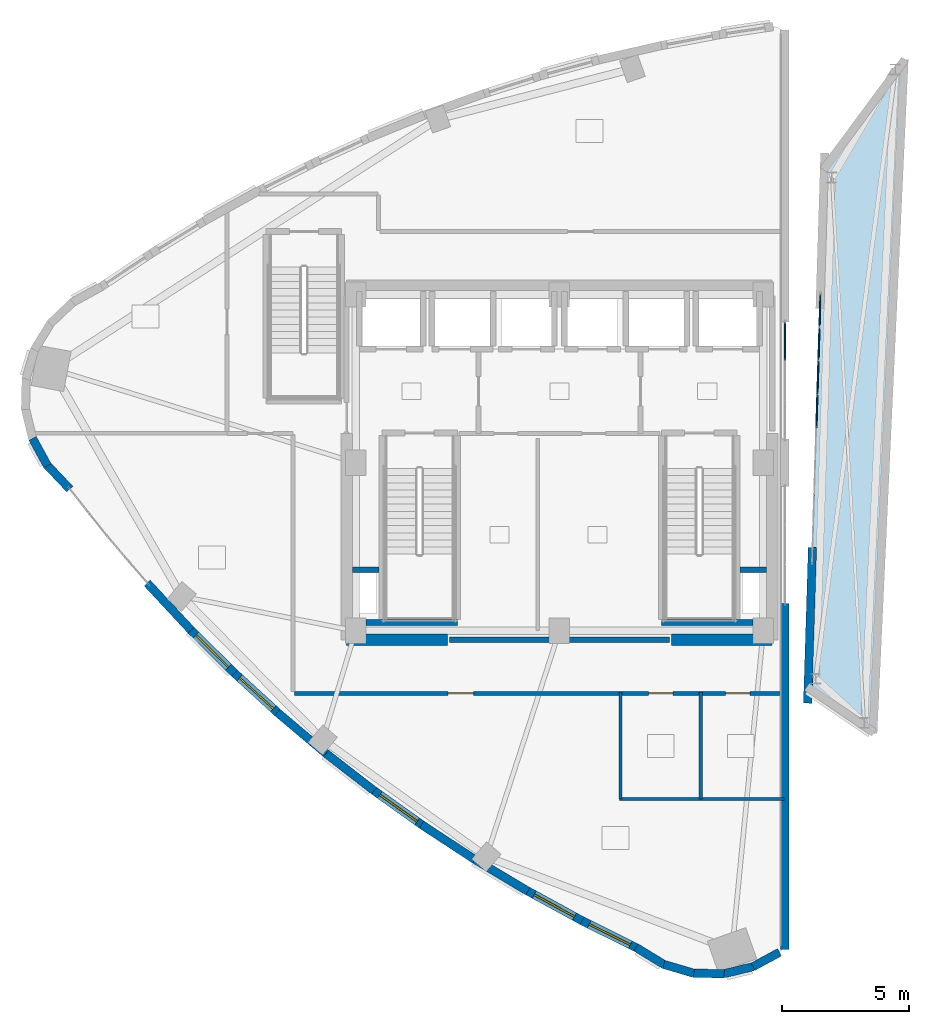
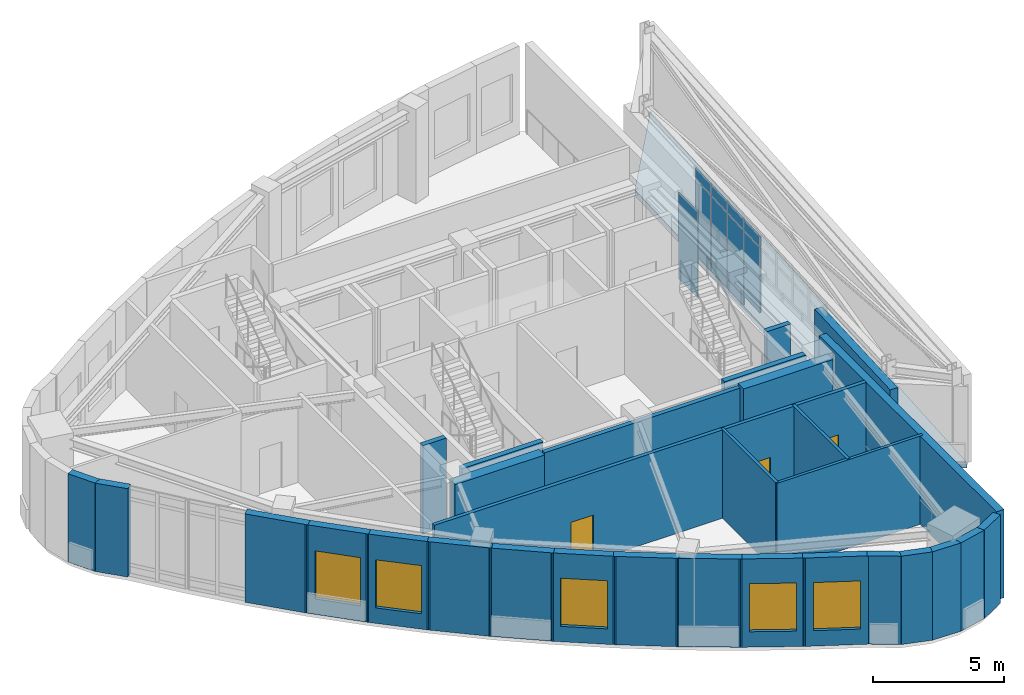
# One storey, part 13 of 19: 30 walls, 14 plates, 5 windows, 3 doors, 1 slab, 8 openings, 2 elements without a shape of their own.
"""IFC4 building model written with IfcOpenShell, lengths in metres."""

from ifc_helpers import new_model, si_unit, direction, frame, frame_2d, origin, origin_2d, place, context, subcontext, project, spatial, polyline, rectangle, outline, extrude, material, layer, layer_set, type_object, element, fill, aggregate, save


model = new_model("IFC4")

# Units and contexts
model_context = context("Model", 3, precision=1e-05, world=origin(), true_north=direction((0.0, 1.0)))
body_context = subcontext(model_context, "Body", "Model", "MODEL_VIEW")
ifc_project = project(units=[si_unit("LENGTHUNIT", "METRE"), si_unit("AREAUNIT", "SQUARE_METRE"), si_unit("VOLUMEUNIT", "CUBIC_METRE"), si_unit("PLANEANGLEUNIT", "RADIAN"), si_unit("MASSUNIT", "GRAM", prefix="KILO")], contexts=[model_context])

# Site, building, storey
site_placement = place(None, origin())
site = spatial("IfcSite", under=ifc_project, at=site_placement, CompositionType="ELEMENT")
building_placement = place(site_placement, origin())
building = spatial("IfcBuilding", under=site, at=building_placement, Name="Ndelora Gate Hotel", CompositionType="ELEMENT")
storey_placement = place(building_placement, frame((0.0, 0.0, 294.800048828125)))
storey = spatial("IfcBuildingStorey", under=building, at=storey_placement, Name="L73", CompositionType="ELEMENT", Elevation=294.800048828125)

# Curtain wall, plates
ifc_material_1 = material(Name="Bronze Anodised Unitised Aluminium and Low-E Glass", Category="aluminium")
ifc_layer_1 = layer(ifc_material_1, 0.199951171875)
ifc_layer_set_1 = layer_set([ifc_layer_1], Name="Bronze Anodised Unitised Aluminium and Low-E Glass")
curtain_wall_type = type_object("IfcCurtainWallType", Name="CW-SYS-8", PredefinedType="NOTDEFINED", material=ifc_layer_set_1)
curtain_wall_1_placement = place(storey_placement, origin())
curtain_wall_1 = element("IfcCurtainWall", 1, at=curtain_wall_1_placement, inside=storey, type_object=curtain_wall_type, Name="L73 Split-Crown West Cleft Lantern Curtain Wall CW8-2", PredefinedType="NOTDEFINED")
ifc_material_2 = material(Name="Solar-Control Low-E Insulated Glazing", Category="glass")
ifc_layer_2 = layer(ifc_material_2, 0.048095703125)
ifc_layer_set_2 = layer_set([ifc_layer_2], Name="Solar-Control Low-E Insulated Glazing")
plate_type = type_object("IfcPlateType", Name="PL-CW-GLZ36", PredefinedType="CURTAIN_PANEL", material=ifc_layer_set_2)
plate_1_placement = place(storey_placement, frame((8.85009765625, 4.760009765625, 0.0537109375), z_axis=(0.0, 0.0, 1.0), x_axis=(0.0, 1.0, 0.0)))
plate_1 = element("IfcPlate", 2, at=plate_1_placement, type_object=plate_type, Name="CW8 panel 3.1", PredefinedType="CURTAIN_PANEL", context=body_context, shape_type="SweptSolid", body=[
    extrude(rectangle(XDim=1.471923828125, YDim=0.048095703125, at=origin_2d()), origin(), (0.0, 0.0, 1.0), 0.422119140625),
])
plate_2_placement = place(storey_placement, frame((8.85009765625, 4.760009765625, 0.52392578125), z_axis=(0.0, 0.0, 1.0), x_axis=(0.0, 1.0, 0.0)))
plate_2 = element("IfcPlate", 3, at=plate_2_placement, type_object=plate_type, Name="CW8 panel 3.2", PredefinedType="CURTAIN_PANEL", context=body_context, shape_type="SweptSolid", body=[
    extrude(rectangle(XDim=1.471923828125, YDim=0.048095703125, at=origin_2d()), origin(), (0.0, 0.0, 1.0), 3.031982421875),
])
plate_3_placement = place(storey_placement, frame((8.85009765625, 4.760009765625, 3.60400390625), z_axis=(0.0, 0.0, 1.0), x_axis=(0.0, 1.0, 0.0)))
plate_3 = element("IfcPlate", 4, at=plate_3_placement, type_object=plate_type, Name="CW8 panel 3.3", PredefinedType="CURTAIN_PANEL", context=body_context, shape_type="SweptSolid", body=[
    extrude(rectangle(XDim=1.471923828125, YDim=0.048095703125, at=origin_2d()), origin(), (0.0, 0.0, 1.0), 0.471923828125),
])
aggregate(curtain_wall_1, [plate_1, plate_2, plate_3])

curtain_wall_2_placement = place(storey_placement, origin())
curtain_wall_2 = element("IfcCurtainWall", 5, at=curtain_wall_2_placement, inside=storey, type_object=curtain_wall_type, Name="L73 Split-Crown East Cleft Lantern Curtain Wall CW8", PredefinedType="NOTDEFINED")
plate_4_placement = place(storey_placement, frame((10.21875, 5.97509765625, 0.0537109375), z_axis=(0.0, 0.0, 1.0), x_axis=(-0.031131345484, -0.999515302198, 0.0)))
plate_4 = element("IfcPlate", 6, at=plate_4_placement, type_object=plate_type, Name="CW8 panel 1.1", PredefinedType="CURTAIN_PANEL", context=body_context, shape_type="SweptSolid", body=[
    extrude(rectangle(XDim=1.24658203125, YDim=0.048095703125, at=origin_2d()), origin(), (0.0, 0.0, 1.0), 0.422119140625),
])
plate_5_placement = place(storey_placement, frame((10.21875, 5.97509765625, 0.52392578125), z_axis=(0.0, 0.0, 1.0), x_axis=(-0.031131345484, -0.999515302198, 0.0)))
plate_5 = element("IfcPlate", 7, at=plate_5_placement, type_object=plate_type, Name="CW8 panel 1.2", PredefinedType="CURTAIN_PANEL", context=body_context, shape_type="SweptSolid", body=[
    extrude(rectangle(XDim=1.24658203125, YDim=0.048095703125, at=origin_2d()), origin(), (0.0, 0.0, 1.0), 3.031982421875),
])
plate_6_placement = place(storey_placement, frame((10.21875, 5.97509765625, 3.60400390625), z_axis=(0.0, 0.0, 1.0), x_axis=(-0.031131345484, -0.999515302198, 0.0)))
plate_6 = element("IfcPlate", 8, at=plate_6_placement, type_object=plate_type, Name="CW8 panel 1.3", PredefinedType="CURTAIN_PANEL", context=body_context, shape_type="SweptSolid", body=[
    extrude(rectangle(XDim=1.24658203125, YDim=0.048095703125, at=origin_2d()), origin(), (0.0, 0.0, 1.0), 0.471923828125),
])
plate_7_placement = place(storey_placement, frame((10.177978515625, 4.666259765625, 0.0537109375), z_axis=(0.0, 0.0, 1.0), x_axis=(-0.031131345484, -0.999515302198, 0.0)))
plate_7 = element("IfcPlate", 9, at=plate_7_placement, type_object=plate_type, Name="CW8 panel 2.1", PredefinedType="CURTAIN_PANEL", context=body_context, shape_type="SweptSolid", body=[
    extrude(rectangle(XDim=1.276611328125, YDim=0.048095703125, at=origin_2d()), origin(), (0.0, 0.0, 1.0), 0.422119140625),
])
plate_8_placement = place(storey_placement, frame((10.177978515625, 4.666259765625, 0.52392578125), z_axis=(0.0, 0.0, 1.0), x_axis=(-0.031131345484, -0.999515302198, 0.0)))
plate_8 = element("IfcPlate", 10, at=plate_8_placement, type_object=plate_type, Name="CW8 panel 2.2", PredefinedType="CURTAIN_PANEL", context=body_context, shape_type="SweptSolid", body=[
    extrude(rectangle(XDim=1.276611328125, YDim=0.048095703125, at=origin_2d()), origin(), (0.0, 0.0, 1.0), 3.031982421875),
])
plate_9_placement = place(storey_placement, frame((10.177978515625, 4.666259765625, 3.60400390625), z_axis=(0.0, 0.0, 1.0), x_axis=(-0.031131345484, -0.999515302198, 0.0)))
plate_9 = element("IfcPlate", 11, at=plate_9_placement, type_object=plate_type, Name="CW8 panel 2.3", PredefinedType="CURTAIN_PANEL", context=body_context, shape_type="SweptSolid", body=[
    extrude(rectangle(XDim=1.276611328125, YDim=0.048095703125, at=origin_2d()), origin(), (0.0, 0.0, 1.0), 0.471923828125),
])
plate_10_placement = place(storey_placement, frame((10.13671875, 3.34228515625, 0.0537109375), z_axis=(0.0, 0.0, 1.0), x_axis=(-0.031131345484, -0.999515302198, 0.0)))
plate_10 = element("IfcPlate", 12, at=plate_10_placement, type_object=plate_type, Name="CW8 panel 3.1", PredefinedType="CURTAIN_PANEL", context=body_context, shape_type="SweptSolid", body=[
    extrude(rectangle(XDim=1.276611328125, YDim=0.048095703125, at=origin_2d()), origin(), (0.0, 0.0, 1.0), 0.422119140625),
])
plate_11_placement = place(storey_placement, frame((10.13671875, 3.34228515625, 0.52392578125), z_axis=(0.0, 0.0, 1.0), x_axis=(-0.031131345484, -0.999515302198, 0.0)))
plate_11 = element("IfcPlate", 13, at=plate_11_placement, type_object=plate_type, Name="CW8 panel 3.2", PredefinedType="CURTAIN_PANEL", context=body_context, shape_type="SweptSolid", body=[
    extrude(rectangle(XDim=1.276611328125, YDim=0.048095703125, at=origin_2d()), origin(), (0.0, 0.0, 1.0), 3.031982421875),
])
plate_12_placement = place(storey_placement, frame((10.13671875, 3.34228515625, 3.60400390625), z_axis=(0.0, 0.0, 1.0), x_axis=(-0.031131345484, -0.999515302198, 0.0)))
plate_12 = element("IfcPlate", 14, at=plate_12_placement, type_object=plate_type, Name="CW8 panel 3.3", PredefinedType="CURTAIN_PANEL", context=body_context, shape_type="SweptSolid", body=[
    extrude(rectangle(XDim=1.276611328125, YDim=0.048095703125, at=origin_2d()), origin(), (0.0, 0.0, 1.0), 0.471923828125),
])
plate_13_placement = place(storey_placement, frame((10.095458984375, 2.018310546875, 0.52392578125), z_axis=(0.0, 0.0, 1.0), x_axis=(-0.031131345484, -0.999515302198, 0.0)))
plate_13 = element("IfcPlate", 15, at=plate_13_placement, type_object=plate_type, Name="CW8 panel 4.2", PredefinedType="CURTAIN_PANEL", context=body_context, shape_type="SweptSolid", body=[
    extrude(rectangle(XDim=1.276611328125, YDim=0.048095703125, at=origin_2d()), origin(), (0.0, 0.0, 1.0), 3.031982421875),
])
plate_14_placement = place(storey_placement, frame((10.095458984375, 2.018310546875, 3.60400390625), z_axis=(0.0, 0.0, 1.0), x_axis=(-0.031131345484, -0.999515302198, 0.0)))
plate_14 = element("IfcPlate", 16, at=plate_14_placement, type_object=plate_type, Name="CW8 panel 4.3", PredefinedType="CURTAIN_PANEL", context=body_context, shape_type="SweptSolid", body=[
    extrude(rectangle(XDim=1.276611328125, YDim=0.048095703125, at=origin_2d()), origin(), (0.0, 0.0, 1.0), 0.471923828125),
])
aggregate(curtain_wall_2, [plate_4, plate_5, plate_6, plate_7, plate_8, plate_9, plate_10, plate_11, plate_12, plate_13, plate_14])

# Slab
ifc_material_3 = material(Name="Concrete C40/50", Category="concrete")
ifc_layer_3 = layer(ifc_material_3, 0.280029296875)
ifc_layer_set_3 = layer_set([ifc_layer_3], Name="Concrete C40/50")
slab_type = type_object("IfcSlabType", Name="SL-ROOF-280", PredefinedType="ROOF", material=ifc_layer_set_3)
slab_placement = place(storey_placement, frame((0.0, 0.0, -0.280029296875)))
element("IfcSlab", 17, at=slab_placement, inside=storey, type_object=slab_type, Name="L73 East Crown Peak Deck", PredefinedType="ROOF", context=body_context, shape_type="SweptSolid", body=[
    extrude(outline(polyline([(9.757568359375, -8.828369140625), (12.306884765625, -10.562255859375), (13.527099609375, 15.7783203125), (10.39208984375, 11.540771484375), (9.757568359375, -8.828369140625)])), origin(), (0.0, 0.0, 1.0), 0.280029296875),
])

# Walls
ifc_material_4 = material(Name="Clay Brick Masonry", Category="masonry")
ifc_layer_4 = layer(ifc_material_4, 0.330078125)
ifc_layer_set_4 = layer_set([ifc_layer_4], Name="Clay Brick Masonry")
wall_type_1 = type_object("IfcWallType", Name="WL-BRICK-330", PredefinedType="SOLIDWALL", material=ifc_layer_set_4)
wall_1_placement = place(storey_placement, frame((8.85009765625, -5.52001953125, 0.0), z_axis=(0.0, 0.0, 1.0), x_axis=(0.0, -1.0, 0.0)))
element("IfcWall", 18, at=wall_1_placement, inside=storey, type_object=wall_type_1, Name="L73 West Crown Canyon Brick Pier 1", PredefinedType="SOLIDWALL", context=body_context, shape_type="SweptSolid", body=[
    extrude(rectangle(XDim=13.590576171875, YDim=0.330078125, at=frame_2d((6.79541015625, 0.0))), origin(), (0.0, 0.0, 1.0), 4.1298828125),
])
wall_2_placement = place(storey_placement, frame((9.738525390625, -9.439453125, 0.0), z_axis=(0.0, 0.0, 1.0), x_axis=(0.031147484759, 0.999514799387, 0.0)))
element("IfcWall", 19, at=wall_2_placement, inside=storey, type_object=wall_type_1, Name="L73 East Crown Canyon Brick Pier 1", PredefinedType="SOLIDWALL", context=body_context, shape_type="SweptSolid", body=[
    extrude(rectangle(XDim=6.11376953125, YDim=0.330078125, at=frame_2d((3.056884765625, 0.0))), origin(), (0.0, 0.0, 1.0), 3.64990234375),
])
wall_3_placement = place(storey_placement, frame((-20.0927734375, -0.122314453125, 0.0), z_axis=(0.0, 0.0, 1.0), x_axis=(-0.478321862725, 0.878184602256, 0.0)))
element("IfcWall", 20, at=wall_3_placement, inside=storey, type_object=wall_type_1, Name="L73 Tower Brick Pier-and-Spandrel Wall WPK-13", PredefinedType="SOLIDWALL", context=body_context, shape_type="SweptSolid", body=[
    extrude(rectangle(XDim=1.22607421875, YDim=0.330078125, at=frame_2d((0.613037109375, 0.0))), origin(), (0.0, 0.0, 1.0), 4.1298828125),
])
wall_4_placement = place(storey_placement, frame((-19.214599609375, -1.038818359375, 0.0), z_axis=(0.0, 0.0, 1.0), x_axis=(-0.687489239636, 0.726194564414, 0.0)))
element("IfcWall", 21, at=wall_4_placement, inside=storey, type_object=wall_type_1, Name="L73 Tower Brick Pier-and-Spandrel Wall WPK-15", PredefinedType="SOLIDWALL", context=body_context, shape_type="SweptSolid", body=[
    extrude(rectangle(XDim=1.29931640625, YDim=0.330078125, at=frame_2d((0.649658203125, 0.0))), origin(), (0.0, 0.0, 1.0), 4.1298828125),
])
wall_5_placement = place(storey_placement, frame((-14.4619140625, -6.572021484375, 0.0), z_axis=(0.0, 0.0, 1.0), x_axis=(-0.681100323402, 0.732190104728, 0.0)))
element("IfcWall", 22, at=wall_5_placement, inside=storey, type_object=wall_type_1, Name="L73 Tower Brick Pier-and-Spandrel Wall WPK-18", PredefinedType="SOLIDWALL", context=body_context, shape_type="SweptSolid", body=[
    extrude(rectangle(XDim=2.523193359375, YDim=0.330078125, at=frame_2d((1.26171875, 0.0))), origin(), (0.0, 0.0, 1.0), 4.1298828125),
])

# Wall, opening, window
wall_6_placement = place(storey_placement, frame((-12.755859375, -8.26171875, 0.0), z_axis=(0.0, 0.0, 1.0), x_axis=(-0.709823779942, 0.704379302243, 0.0)))
wall_6 = element("IfcWall", 23, at=wall_6_placement, inside=storey, type_object=wall_type_1, Name="L73 Tower Brick Pier-and-Spandrel Wall WPK-19", PredefinedType="SOLIDWALL", context=body_context, shape_type="SweptSolid", body=[
    extrude(rectangle(XDim=2.51123046875, YDim=0.330078125, at=frame_2d((1.255615234375, 0.0))), origin(), (0.0, 0.0, 1.0), 4.1298828125),
])
opening_1_placement = place(wall_6_placement, frame((0.32568359375, 0.0, 0.719970703125)))
opening_1 = element("IfcOpeningElement", 24, at=opening_1_placement, cuts=wall_6, Name="Opening W06", PredefinedType="OPENING", context=body_context, shape_type="SweptSolid", body=[
    extrude(rectangle(XDim=1.800048828125, YDim=2.25, at=frame_2d((0.89990234375, 1.125))), frame((0.0, 0.175048828125, 0.0), z_axis=(0.0, -1.0, 0.0), x_axis=(1.0, 0.0, 0.0)), (0.0, 0.0, 1.0), 0.35009765625),
])
ifc_material_5 = material(Name="Insulated Low-E Double Glazing in Bronze Aluminium Frame", Category="aluminium")
window_type = type_object("IfcWindowType", Name="WN-OBS-1800", PartitioningType="SINGLE_PANEL", PredefinedType="WINDOW", material=ifc_material_5)
window_1_placement = place(opening_1_placement, origin())
window_1 = element("IfcWindow", 25, at=window_1_placement, inside=storey, type_object=window_type, Name="L73 Deep-Set Brick-Pier Window W06", OverallHeight=2.25, OverallWidth=1.800048828125, PartitioningType="SINGLE_PANEL", PredefinedType="WINDOW", context=body_context, shape_type="SweptSolid", body=[
    extrude(rectangle(XDim=1.800048828125, YDim=2.25, at=frame_2d((0.89990234375, 1.125))), frame((0.0, 0.030029296875, 0.0), z_axis=(0.0, -1.0, 0.0), x_axis=(1.0, 0.0, 0.0)), (0.0, 0.0, 1.0), 0.06005859375),
])
fill(opening_1, window_1)

wall_7_placement = place(storey_placement, frame((-10.989013671875, -9.876220703125, 0.0), z_axis=(0.0, 0.0, 1.0), x_axis=(-0.737627628948, 0.675207731748, 0.0)))
wall_7 = element("IfcWall", 26, at=wall_7_placement, inside=storey, type_object=wall_type_1, Name="L73 Tower Brick Pier-and-Spandrel Wall WPK-20", PredefinedType="SOLIDWALL", context=body_context, shape_type="SweptSolid", body=[
    extrude(rectangle(XDim=2.503173828125, YDim=0.330078125, at=frame_2d((1.25146484375, 0.0))), origin(), (0.0, 0.0, 1.0), 4.1298828125),
])
opening_2_placement = place(wall_7_placement, frame((0.321533203125, 0.0, 0.719970703125)))
opening_2 = element("IfcOpeningElement", 27, at=opening_2_placement, cuts=wall_7, Name="Opening W06", PredefinedType="OPENING", context=body_context, shape_type="SweptSolid", body=[
    extrude(rectangle(XDim=1.800048828125, YDim=2.25, at=frame_2d((0.89990234375, 1.125))), frame((0.0, 0.175048828125, 0.0), z_axis=(0.0, -1.0, 0.0), x_axis=(1.0, 0.0, 0.0)), (0.0, 0.0, 1.0), 0.35009765625),
])
window_2_placement = place(opening_2_placement, origin())
window_2 = element("IfcWindow", 28, at=window_2_placement, inside=storey, type_object=window_type, Name="L73 Deep-Set Brick-Pier Window W06", OverallHeight=2.25, OverallWidth=1.800048828125, PartitioningType="SINGLE_PANEL", PredefinedType="WINDOW", context=body_context, shape_type="SweptSolid", body=[
    extrude(rectangle(XDim=1.800048828125, YDim=2.25, at=frame_2d((0.89990234375, 1.125))), frame((0.0, 0.030029296875, 0.0), z_axis=(0.0, -1.0, 0.0), x_axis=(1.0, 0.0, 0.0)), (0.0, 0.0, 1.0), 0.06005859375),
])
fill(opening_2, window_2)

# Walls
wall_8_placement = place(storey_placement, frame((-9.161376953125, -11.415283203125, 0.0), z_axis=(0.0, 0.0, 1.0), x_axis=(-0.764315556833, 0.644842406781, 0.0)))
element("IfcWall", 29, at=wall_8_placement, inside=storey, type_object=wall_type_1, Name="L73 Tower Brick Pier-and-Spandrel Wall WPK-21", PredefinedType="SOLIDWALL", context=body_context, shape_type="SweptSolid", body=[
    extrude(rectangle(XDim=2.499267578125, YDim=0.330078125, at=frame_2d((1.24951171875, 0.0))), origin(), (0.0, 0.0, 1.0), 4.1298828125),
])
wall_9_placement = place(storey_placement, frame((-7.27294921875, -12.87890625, 0.0), z_axis=(0.0, 0.0, 1.0), x_axis=(-0.789841179094, 0.613311431336, 0.0)))
element("IfcWall", 30, at=wall_9_placement, inside=storey, type_object=wall_type_1, Name="L73 Tower Brick Pier-and-Spandrel Wall WPK-22", PredefinedType="SOLIDWALL", context=body_context, shape_type="SweptSolid", body=[
    extrude(rectangle(XDim=2.4990234375, YDim=0.330078125, at=frame_2d((1.24951171875, 0.0))), origin(), (0.0, 0.0, 1.0), 4.1298828125),
])

# Wall, opening, window
wall_10_placement = place(storey_placement, frame((-5.323486328125, -14.26708984375, 0.0), z_axis=(0.0, 0.0, 1.0), x_axis=(-0.814029925436, 0.580822933857, 0.0)))
wall_10 = element("IfcWall", 31, at=wall_10_placement, inside=storey, type_object=wall_type_1, Name="L73 Tower Brick Pier-and-Spandrel Wall WPK-23", PredefinedType="SOLIDWALL", context=body_context, shape_type="SweptSolid", body=[
    extrude(rectangle(XDim=2.503173828125, YDim=0.330078125, at=frame_2d((1.25146484375, 0.0))), origin(), (0.0, 0.0, 1.0), 4.1298828125),
])
opening_3_placement = place(wall_10_placement, frame((0.321533203125, 0.0, 0.719970703125)))
opening_3 = element("IfcOpeningElement", 32, at=opening_3_placement, cuts=wall_10, Name="Opening W06", PredefinedType="OPENING", context=body_context, shape_type="SweptSolid", body=[
    extrude(rectangle(XDim=1.800048828125, YDim=2.25, at=frame_2d((0.89990234375, 1.125))), frame((0.0, 0.175048828125, 0.0), z_axis=(0.0, -1.0, 0.0), x_axis=(1.0, 0.0, 0.0)), (0.0, 0.0, 1.0), 0.35009765625),
])
window_3_placement = place(opening_3_placement, origin())
window_3 = element("IfcWindow", 33, at=window_3_placement, inside=storey, type_object=window_type, Name="L73 Deep-Set Brick-Pier Window W06", OverallHeight=2.25, OverallWidth=1.800048828125, PartitioningType="SINGLE_PANEL", PredefinedType="WINDOW", context=body_context, shape_type="SweptSolid", body=[
    extrude(rectangle(XDim=1.800048828125, YDim=2.25, at=frame_2d((0.89990234375, 1.125))), frame((0.0, 0.030029296875, 0.0), z_axis=(0.0, -1.0, 0.0), x_axis=(1.0, 0.0, 0.0)), (0.0, 0.0, 1.0), 0.06005859375),
])
fill(opening_3, window_3)

# Walls
wall_11_placement = place(storey_placement, frame((-3.313232421875, -15.580078125, 0.0), z_axis=(0.0, 0.0, 1.0), x_axis=(-0.836746876737, 0.547589868671, 0.0)))
element("IfcWall", 34, at=wall_11_placement, inside=storey, type_object=wall_type_1, Name="L73 Tower Brick Pier-and-Spandrel Wall WPK-24", PredefinedType="SOLIDWALL", context=body_context, shape_type="SweptSolid", body=[
    extrude(rectangle(XDim=2.510986328125, YDim=0.330078125, at=frame_2d((1.25537109375, 0.0))), origin(), (0.0, 0.0, 1.0), 4.1298828125),
])
wall_12_placement = place(storey_placement, frame((-1.241943359375, -16.818115234375, 0.0), z_axis=(0.0, 0.0, 1.0), x_axis=(-0.857902474262, 0.513812557899, 0.0)))
element("IfcWall", 35, at=wall_12_placement, inside=storey, type_object=wall_type_1, Name="L73 Tower Brick Pier-and-Spandrel Wall WPK-25", PredefinedType="SOLIDWALL", context=body_context, shape_type="SweptSolid", body=[
    extrude(rectangle(XDim=2.523193359375, YDim=0.330078125, at=frame_2d((1.26171875, 0.0))), origin(), (0.0, 0.0, 1.0), 4.1298828125),
])

# Wall, opening, window
wall_13_placement = place(storey_placement, frame((0.890380859375, -17.98046875, 0.0), z_axis=(0.0, 0.0, 1.0), x_axis=(-0.877542510611, 0.479498844702, 0.0)))
wall_13 = element("IfcWall", 36, at=wall_13_placement, inside=storey, type_object=wall_type_1, Name="L73 Tower Brick Pier-and-Spandrel Wall WPK-26", PredefinedType="SOLIDWALL", context=body_context, shape_type="SweptSolid", body=[
    extrude(rectangle(XDim=2.53857421875, YDim=0.330078125, at=frame_2d((1.269287109375, 0.0))), origin(), (0.0, 0.0, 1.0), 4.1298828125),
])
opening_4_placement = place(wall_13_placement, frame((0.33935546875, 0.0, 0.719970703125)))
opening_4 = element("IfcOpeningElement", 37, at=opening_4_placement, cuts=wall_13, Name="Opening W06", PredefinedType="OPENING", context=body_context, shape_type="SweptSolid", body=[
    extrude(rectangle(XDim=1.800048828125, YDim=2.25, at=frame_2d((0.89990234375, 1.125))), frame((0.0, 0.175048828125, 0.0), z_axis=(0.0, -1.0, 0.0), x_axis=(1.0, 0.0, 0.0)), (0.0, 0.0, 1.0), 0.35009765625),
])
window_4_placement = place(opening_4_placement, origin())
window_4 = element("IfcWindow", 38, at=window_4_placement, inside=storey, type_object=window_type, Name="L73 Deep-Set Brick-Pier Window W06", OverallHeight=2.25, OverallWidth=1.800048828125, PartitioningType="SINGLE_PANEL", PredefinedType="WINDOW", context=body_context, shape_type="SweptSolid", body=[
    extrude(rectangle(XDim=1.800048828125, YDim=2.25, at=frame_2d((0.89990234375, 1.125))), frame((0.0, 0.030029296875, 0.0), z_axis=(0.0, -1.0, 0.0), x_axis=(1.0, 0.0, 0.0)), (0.0, 0.0, 1.0), 0.06005859375),
])
fill(opening_4, window_4)

wall_14_placement = place(storey_placement, frame((3.100830078125, -19.078125, 0.0), z_axis=(0.0, 0.0, 1.0), x_axis=(-0.895277941462, 0.445508033073, 0.0)))
wall_14 = element("IfcWall", 39, at=wall_14_placement, inside=storey, type_object=wall_type_1, Name="L73 Tower Brick Pier-and-Spandrel Wall WPK-27", PredefinedType="SOLIDWALL", context=body_context, shape_type="SweptSolid", body=[
    extrude(rectangle(XDim=2.577880859375, YDim=0.330078125, at=frame_2d((1.2890625, 0.0))), origin(), (0.0, 0.0, 1.0), 4.1298828125),
])
opening_5_placement = place(wall_14_placement, frame((0.35888671875, 0.0, 0.719970703125)))
opening_5 = element("IfcOpeningElement", 40, at=opening_5_placement, cuts=wall_14, Name="Opening W06", PredefinedType="OPENING", context=body_context, shape_type="SweptSolid", body=[
    extrude(rectangle(XDim=1.800048828125, YDim=2.25, at=frame_2d((0.89990234375, 1.125))), frame((0.0, 0.175048828125, 0.0), z_axis=(0.0, -1.0, 0.0), x_axis=(1.0, 0.0, 0.0)), (0.0, 0.0, 1.0), 0.35009765625),
])
window_5_placement = place(opening_5_placement, origin())
window_5 = element("IfcWindow", 41, at=window_5_placement, inside=storey, type_object=window_type, Name="L73 Deep-Set Brick-Pier Window W06", OverallHeight=2.25, OverallWidth=1.800048828125, PartitioningType="SINGLE_PANEL", PredefinedType="WINDOW", context=body_context, shape_type="SweptSolid", body=[
    extrude(rectangle(XDim=1.800048828125, YDim=2.25, at=frame_2d((0.89990234375, 1.125))), frame((0.0, 0.030029296875, 0.0), z_axis=(0.0, -1.0, 0.0), x_axis=(1.0, 0.0, 0.0)), (0.0, 0.0, 1.0), 0.06005859375),
])
fill(opening_5, window_5)

# Walls
wall_15_placement = place(storey_placement, frame((4.121826171875, -19.70751953125, 0.0), z_axis=(0.0, 0.0, 1.0), x_axis=(-0.853318707867, 0.521389665034, 0.0)))
element("IfcWall", 42, at=wall_15_placement, inside=storey, type_object=wall_type_1, Name="L73 Tower Brick Pier-and-Spandrel Wall WPK-28", PredefinedType="SOLIDWALL", context=body_context, shape_type="SweptSolid", body=[
    extrude(rectangle(XDim=1.309326171875, YDim=0.330078125, at=frame_2d((0.65478515625, 0.0))), origin(), (0.0, 0.0, 1.0), 4.1298828125),
])
for number, where, z_axis, x_axis, name in (
    (43, (5.27099609375, -20.038330078125, 0.0), (0.0, 0.0, 1.0), (-0.959229011415, 0.282629976578, 0.0), "L73 Tower Brick Pier-and-Spandrel Wall WPK-30"),
    (44, (6.466552734375, -20.060546875, 0.0), (0.0, 0.0, 1.0), (-0.999694943543, 0.024698579996, 0.0), "L73 Tower Brick Pier-and-Spandrel Wall WPK-32"),
):
    element("IfcWall", number, at=place(storey_placement, frame(where, z_axis=z_axis, x_axis=x_axis)), inside=storey, type_object=wall_type_1, Name=name, PredefinedType="SOLIDWALL", context=body_context, shape_type="SweptSolid", body=[
        extrude(rectangle(XDim=1.225830078125, YDim=0.330078125, at=frame_2d((0.61279296875, 0.0))), origin(), (0.0, 0.0, 1.0), 4.1298828125),
    ])
wall_16_placement = place(storey_placement, frame((7.62744140625, -19.7724609375, 0.0), z_axis=(0.0, 0.0, 1.0), x_axis=(-0.97199913572, -0.234984425353, 0.0)))
element("IfcWall", 45, at=wall_16_placement, inside=storey, type_object=wall_type_1, Name="L73 Tower Brick Pier-and-Spandrel Wall WPK-34", PredefinedType="SOLIDWALL", context=body_context, shape_type="SweptSolid", body=[
    extrude(rectangle(XDim=1.22607421875, YDim=0.330078125, at=frame_2d((0.613037109375, 0.0))), origin(), (0.0, 0.0, 1.0), 4.1298828125),
])
wall_17_placement = place(storey_placement, frame((8.640380859375, -19.214111328125, 0.0), z_axis=(0.0, 0.0, 1.0), x_axis=(-0.878860825238, -0.477078242914, 0.0)))
element("IfcWall", 46, at=wall_17_placement, inside=storey, type_object=wall_type_1, Name="L73 Tower Brick Pier-and-Spandrel Wall WPK-36", PredefinedType="SOLIDWALL", context=body_context, shape_type="SweptSolid", body=[
    extrude(rectangle(XDim=1.186767578125, YDim=0.330078125, at=frame_2d((0.59326171875, 0.0))), origin(), (0.0, 0.0, 1.0), 4.1298828125),
])
ifc_material_6 = material(Name="Concrete C50/60", Category="concrete")
ifc_layer_5 = layer(ifc_material_6, 0.449951171875)
ifc_layer_set_5 = layer_set([ifc_layer_5], Name="Concrete C50/60")
wall_type_2 = type_object("IfcWallType", Name="WL-CORE-450", PredefinedType="SHEAR", material=ifc_layer_set_5)
for number, where, z_axis, x_axis, name in (
    (47, (-8.35009765625, -6.949951171875, 0.0), (0.0, 0.0, 1.0), (1.0, 0.0, 0.0), "L73 Core Shear Wall S-W"),
    (48, (4.39990234375, -6.949951171875, 0.0), (0.0, 0.0, 1.0), (1.0, 0.0, 0.0), "L73 Core Shear Wall S-E"),
):
    element("IfcWall", number, at=place(storey_placement, frame(where, z_axis=z_axis, x_axis=x_axis)), inside=storey, type_object=wall_type_2, Name=name, PredefinedType="SHEAR", context=body_context, shape_type="SweptSolid", body=[
        extrude(rectangle(XDim=3.9501953125, YDim=0.449951171875, at=frame_2d((1.97509765625, 0.0))), origin(), (0.0, 0.0, 1.0), 4.1298828125),
    ])
ifc_layer_6 = layer(ifc_material_3, 0.199951171875)
ifc_layer_set_6 = layer_set([ifc_layer_6], Name="Concrete C40/50")
wall_type_3 = type_object("IfcWallType", Name="WL-FIRE-200", PredefinedType="PARTITIONING", material=ifc_layer_set_6)
wall_18_placement = place(storey_placement, frame((-4.320068359375, -6.949951171875, 0.0), z_axis=(0.0, 0.0, 1.0), x_axis=(1.0, 0.0, 0.0)))
element("IfcWall", 49, at=wall_18_placement, inside=storey, type_object=wall_type_3, Name="L73 Interior Wall IW-2", PredefinedType="PARTITIONING", context=body_context, shape_type="SweptSolid", body=[
    extrude(rectangle(XDim=8.64013671875, YDim=0.199951171875, at=frame_2d((4.320068359375, 0.0))), origin(), (0.0, 0.0, 1.0), 4.1298828125),
])

# Wall, openings, doors
ifc_material_7 = material(Name="Fire-Rated Gypsum Stud Partition", Category="gypsum")
ifc_layer_7 = layer(ifc_material_7, 0.159912109375)
ifc_layer_set_7 = layer_set([ifc_layer_7], Name="Fire-Rated Gypsum Stud Partition")
wall_type_4 = type_object("IfcWallType", Name="WL-PART-160", PredefinedType="PARTITIONING", material=ifc_layer_set_7)
wall_19_placement = place(storey_placement, frame((-10.39990234375, -9.050048828125, 0.0), z_axis=(0.0, 0.0, 1.0), x_axis=(1.0, 0.0, 0.0)))
wall_19 = element("IfcWall", 50, at=wall_19_placement, inside=storey, type_object=wall_type_4, Name="L73 Interior Wall IW-4", PredefinedType="PARTITIONING", context=body_context, shape_type="SweptSolid", body=[
    extrude(rectangle(XDim=19.099853515625, YDim=0.159912109375, at=frame_2d((9.5498046875, 0.0))), origin(), (0.0, 0.0, 1.0), 4.1298828125),
])
opening_6_placement = place(wall_19_placement, frame((6.030029296875, 0.0, 0.0)))
opening_6 = element("IfcOpeningElement", 51, at=opening_6_placement, cuts=wall_19, Name="Opening D01", PredefinedType="OPENING", context=body_context, shape_type="SweptSolid", body=[
    extrude(rectangle(XDim=1.0, YDim=2.14990234375, at=frame_2d((0.5, 1.074951171875))), frame((0.0, 0.08984375, 0.0), z_axis=(0.0, -1.0, 0.0), x_axis=(1.0, 0.0, 0.0)), (0.0, 0.0, 1.0), 0.179931640625),
])
opening_7_placement = place(wall_19_placement, frame((13.89990234375, 0.0, 0.0)))
opening_7 = element("IfcOpeningElement", 52, at=opening_7_placement, cuts=wall_19, Name="Opening D05", PredefinedType="OPENING", context=body_context, shape_type="SweptSolid", body=[
    extrude(rectangle(XDim=0.949951171875, YDim=2.10009765625, at=frame_2d((0.47509765625, 1.050048828125))), frame((0.0, 0.08984375, 0.0), z_axis=(0.0, -1.0, 0.0), x_axis=(1.0, 0.0, 0.0)), (0.0, 0.0, 1.0), 0.179931640625),
])
opening_8_placement = place(wall_19_placement, frame((16.919921875, 0.0, 0.0)))
opening_8 = element("IfcOpeningElement", 53, at=opening_8_placement, cuts=wall_19, Name="Opening D05", PredefinedType="OPENING", context=body_context, shape_type="SweptSolid", body=[
    extrude(rectangle(XDim=0.949951171875, YDim=2.10009765625, at=frame_2d((0.47509765625, 1.050048828125))), frame((0.0, 0.08984375, 0.0), z_axis=(0.0, -1.0, 0.0), x_axis=(1.0, 0.0, 0.0)), (0.0, 0.0, 1.0), 0.179931640625),
])
ifc_material_8 = material(Name="Accessible Restroom Wide-Clearance Door", Category="wood")
door_type_1 = type_object("IfcDoorType", Name="DR-ACC-950", OperationType="SINGLE_SWING_LEFT", PredefinedType="DOOR", material=ifc_material_8)
door_1_placement = place(opening_7_placement, origin())
door_1 = element("IfcDoor", 54, at=door_1_placement, inside=storey, type_object=door_type_1, Name="L73 Female Public Restroom Door", OperationType="SINGLE_SWING_LEFT", OverallHeight=2.10009765625, OverallWidth=0.949951171875, PredefinedType="DOOR", context=body_context, shape_type="SweptSolid", body=[
    extrude(rectangle(XDim=0.949951171875, YDim=2.10009765625, at=frame_2d((0.47509765625, 1.050048828125))), frame((0.0, 0.02490234375, 0.0), z_axis=(0.0, -1.0, 0.0), x_axis=(1.0, 0.0, 0.0)), (0.0, 0.0, 1.0), 0.050048828125),
])
fill(opening_7, door_1)
door_2_placement = place(opening_8_placement, origin())
door_2 = element("IfcDoor", 55, at=door_2_placement, inside=storey, type_object=door_type_1, Name="L73 Accessible WC Door", OperationType="SINGLE_SWING_RIGHT", OverallHeight=2.10009765625, OverallWidth=0.949951171875, PredefinedType="DOOR", context=body_context, shape_type="SweptSolid", body=[
    extrude(rectangle(XDim=0.949951171875, YDim=2.10009765625, at=frame_2d((0.47509765625, 1.050048828125))), frame((0.0, 0.02490234375, 0.0), z_axis=(0.0, -1.0, 0.0), x_axis=(1.0, 0.0, 0.0)), (0.0, 0.0, 1.0), 0.050048828125),
])
fill(opening_8, door_2)
ifc_material_9 = material(Name="Acoustic Hardwood Guest Entrance Door", Category="wood")
door_type_2 = type_object("IfcDoorType", Name="DR-COR-1000", OperationType="SINGLE_SWING_LEFT", PredefinedType="DOOR", material=ifc_material_9)
door_3_placement = place(opening_6_placement, origin())
door_3 = element("IfcDoor", 56, at=door_3_placement, inside=storey, type_object=door_type_2, Name="L73 Finishing Catering Kitchen Door", OperationType="SINGLE_SWING_LEFT", OverallHeight=2.14990234375, OverallWidth=1.0, PredefinedType="DOOR", context=body_context, shape_type="SweptSolid", body=[
    extrude(rectangle(XDim=1.0, YDim=2.14990234375, at=frame_2d((0.5, 1.074951171875))), frame((0.0, 0.02490234375, 0.0), z_axis=(0.0, -1.0, 0.0), x_axis=(1.0, 0.0, 0.0)), (0.0, 0.0, 1.0), 0.050048828125),
])
fill(opening_6, door_3)

# Walls
ifc_layer_8 = layer(ifc_material_3, 0.219970703125)
ifc_layer_set_8 = layer_set([ifc_layer_8], Name="Concrete C40/50")
wall_type_5 = type_object("IfcWallType", Name="WL-SHAFT-220", PredefinedType="PARTITIONING", material=ifc_layer_set_8)
for number, where, z_axis, x_axis, name in (
    (57, (-8.125, -4.199951171875, 0.0), (0.0, 0.0, 1.0), (1.0, 0.0, 0.0), "L73 Interior Wall IW-1"),
    (58, (7.090087890625, -4.199951171875, 0.0), (0.0, 0.0, 1.0), (1.0, 0.0, 0.0), "L73 Interior Wall IW-1"),
):
    element("IfcWall", number, at=place(storey_placement, frame(where, z_axis=z_axis, x_axis=x_axis)), inside=storey, type_object=wall_type_5, Name=name, PredefinedType="PARTITIONING", context=body_context, shape_type="SweptSolid", body=[
        extrude(rectangle(XDim=1.034912109375, YDim=0.219970703125, at=frame_2d((0.517578125, 0.0))), origin(), (0.0, 0.0, 1.0), 4.1298828125),
    ])
ifc_layer_9 = layer(ifc_material_6, 0.239990234375)
ifc_layer_set_9 = layer_set([ifc_layer_9], Name="Concrete C50/60")
wall_type_6 = type_object("IfcWallType", Name="WL-STAIR-240", PredefinedType="SHEAR", material=ifc_layer_set_9)
for number, where, z_axis, x_axis, name in (
    (59, (-7.60009765625, -6.27001953125, 0.0), (0.0, 0.0, 1.0), (1.0, 0.0, 0.0), "L73 Stair Core Shear Wall SW-ST"),
    (60, (4.010009765625, -6.27001953125, 0.0), (0.0, 0.0, 1.0), (1.0, 0.0, 0.0), "L73 Stair Core Shear Wall SW-ST"),
):
    element("IfcWall", number, at=place(storey_placement, frame(where, z_axis=z_axis, x_axis=x_axis)), inside=storey, type_object=wall_type_6, Name=name, PredefinedType="SHEAR", context=body_context, shape_type="SweptSolid", body=[
        extrude(rectangle(XDim=3.590087890625, YDim=0.239990234375, at=frame_2d((1.794921875, 0.0))), origin(), (0.0, 0.0, 1.0), 4.1298828125),
    ])
ifc_material_10 = material(Name="Moisture-Resistant Fire-Rated Tile Partition", Category="gypsum")
ifc_layer_10 = layer(ifc_material_10, 0.1298828125)
ifc_layer_set_10 = layer_set([ifc_layer_10], Name="Moisture-Resistant Fire-Rated Tile Partition")
wall_type_7 = type_object("IfcWallType", Name="WL-WET-RATED", PredefinedType="PARTITIONING", material=ifc_layer_set_10)
for number, where, z_axis, x_axis, name in (
    (61, (2.39990234375, -9.0, 0.0), (0.0, 0.0, 1.0), (0.0, -1.0, 0.0), "L73 Interior Wall IW-6"),
    (62, (5.550048828125, -9.0, 0.0), (0.0, 0.0, 1.0), (0.0, -1.0, 0.0), "L73 Interior Wall IW-6"),
):
    element("IfcWall", number, at=place(storey_placement, frame(where, z_axis=z_axis, x_axis=x_axis)), inside=storey, type_object=wall_type_7, Name=name, PredefinedType="PARTITIONING", context=body_context, shape_type="SweptSolid", body=[
        extrude(rectangle(XDim=4.199951171875, YDim=0.1298828125, at=frame_2d((2.10009765625, 0.0))), origin(), (0.0, 0.0, 1.0), 4.1298828125),
    ])
wall_20_placement = place(storey_placement, frame((2.35009765625, -13.199951171875, 0.0), z_axis=(0.0, 0.0, 1.0), x_axis=(1.0, 0.0, 0.0)))
element("IfcWall", 63, at=wall_20_placement, inside=storey, type_object=wall_type_7, Name="L73 Interior Wall IW-6", PredefinedType="PARTITIONING", context=body_context, shape_type="SweptSolid", body=[
    extrude(rectangle(XDim=6.469482421875, YDim=0.1298828125, at=frame_2d((3.23486328125, 0.0))), origin(), (0.0, 0.0, 1.0), 4.1298828125),
])

save(model, "model.ifc")
